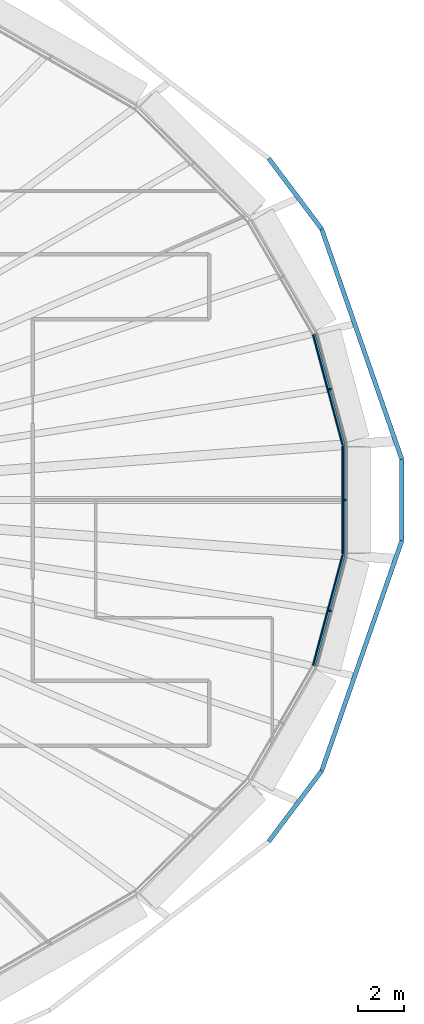
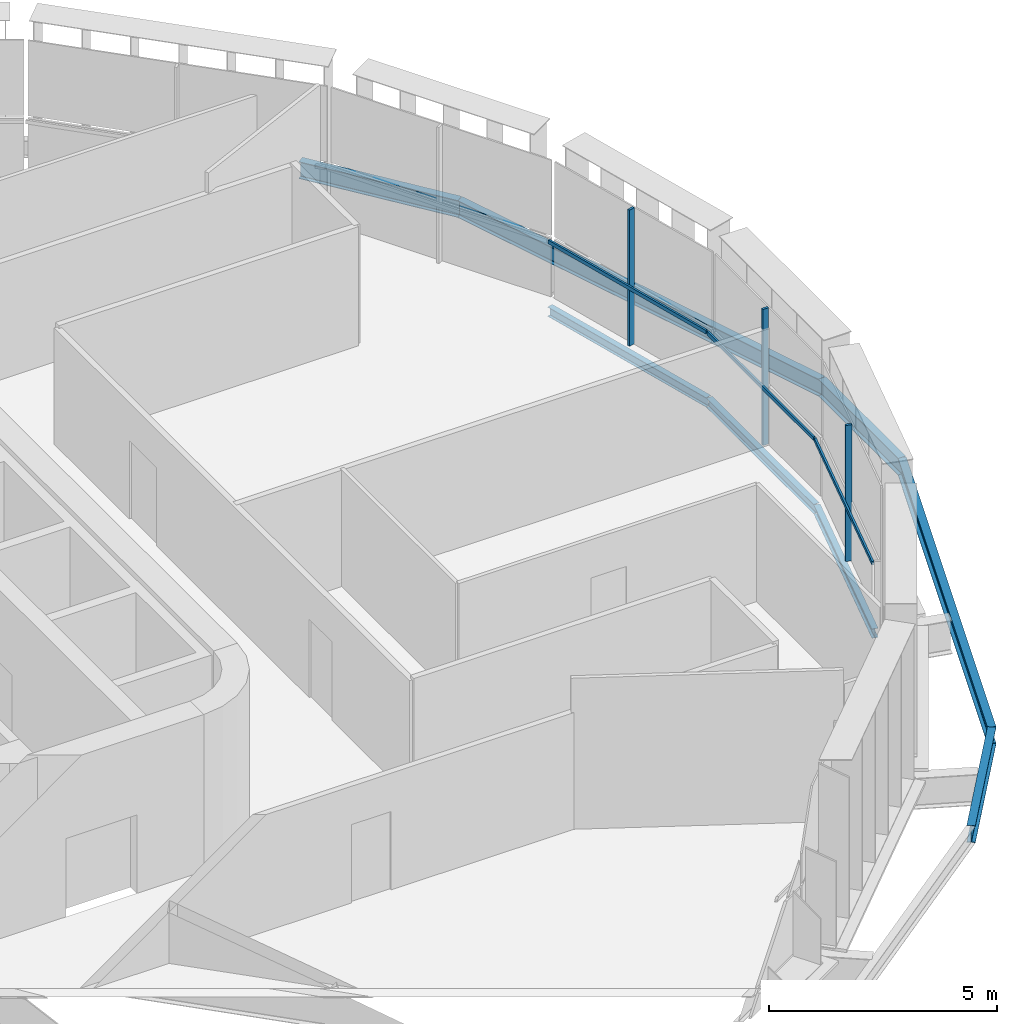
# One storey, part 12 of 25: 8 beams, 6 members, 3 elements without a shape of their own.
"""IFC4 building model written with IfcOpenShell, lengths in metres."""

from ifc_helpers import new_model, si_unit, direction, frame, origin, origin_2d, place, context, subcontext, project, spatial, rectangle, i_section, extrude, material, layer, layer_set, material_profile, profile_set, type_object, element, aggregate, save


model = new_model("IFC4")

# Units and contexts
model_context = context("Model", 3, precision=1e-05, world=origin(), true_north=direction((0.0, 1.0)))
body_context = subcontext(model_context, "Body", "Model", "MODEL_VIEW")
ifc_project = project(units=[si_unit("LENGTHUNIT", "METRE"), si_unit("AREAUNIT", "SQUARE_METRE"), si_unit("VOLUMEUNIT", "CUBIC_METRE"), si_unit("PLANEANGLEUNIT", "RADIAN"), si_unit("MASSUNIT", "GRAM", prefix="KILO")], contexts=[model_context])

# Site, building, storey
site_placement = place(None, origin())
site = spatial("IfcSite", under=ifc_project, at=site_placement, CompositionType="ELEMENT")
building_placement = place(site_placement, origin())
building = spatial("IfcBuilding", under=site, at=building_placement, Name="Sahrelin Media Tower", CompositionType="ELEMENT")
storey_placement = place(building_placement, frame((0.0, 0.0, 110.39990234375)))
storey = spatial("IfcBuildingStorey", under=building, at=storey_placement, Name="L21", CompositionType="ELEMENT", Elevation=110.39990234375)

# Beams
ifc_material_1 = material(Name="Steel S355", Category="steel")
ifc_material_profile_1 = material_profile(ifc_material_1, i_section(OverallWidth=0.14599609375, OverallDepth=0.25146484375, WebThickness=0.006103515625, FlangeThickness=0.008544921875, FilletRadius=0.007568359375, at=origin_2d()), Name="UB 254x146x31")
ifc_profile_set_1 = profile_set([ifc_material_profile_1], Name="Steel S355")
beam_type_1 = type_object("IfcBeamType", Name="Edge beam EB1", PredefinedType="BEAM", material=ifc_profile_set_1)
beam_1_placement = place(storey_placement, frame((31.794189453125, 2.352783203125, -0.275634765625), z_axis=(0.0, -1.0, 0.0), x_axis=(1.0, 0.0, 0.0)))
element("IfcBeam", 1, at=beam_1_placement, inside=storey, type_object=beam_type_1, Name="Edge beam L21-01", PredefinedType="BEAM", context=body_context, shape_type="SweptSolid", body=[
    extrude(i_section(OverallWidth=0.14599609375, OverallDepth=0.25146484375, WebThickness=0.006103515625, FlangeThickness=0.008544921875, FilletRadius=0.007568359375, at=origin_2d()), origin(), (0.0, 0.0, 1.0), 4.70556640625),
])
for number, where, z_axis, x_axis, name in (
    (2, (31.79052734375, -2.381591796875, -0.275634765625), (-0.258785645927, -0.965934774952, 0.0), (0.965934774952, -0.258785645927, 0.0), "Edge beam L21-02"),
    (3, (30.51611328125, 7.138427734375, -0.275634765625), (0.258785645927, -0.965934774952, 0.0), (0.965934774952, 0.258785645927, 0.0), "Edge beam L21-24"),
):
    element("IfcBeam", number, at=place(storey_placement, frame(where, z_axis=z_axis, x_axis=x_axis)), inside=storey, type_object=beam_type_1, Name=name, PredefinedType="BEAM", context=body_context, shape_type="SweptSolid", body=[
        extrude(i_section(OverallWidth=0.14599609375, OverallDepth=0.25146484375, WebThickness=0.006103515625, FlangeThickness=0.008544921875, FilletRadius=0.007568359375, at=origin_2d()), origin(), (0.0, 0.0, 1.0), 4.924560546875),
    ])

# Curtain wall, member
ifc_material_2 = material(Name="Champagne anodised aluminium 6063-T6", Category="aluminium")
ifc_layer = layer(ifc_material_2, 0.14990234375)
ifc_layer_set = layer_set([ifc_layer], Name="Tower ribbon curtain wall")
curtain_wall_type = type_object("IfcCurtainWallType", Name="Tower ribbon curtain wall", PredefinedType="NOTDEFINED", material=ifc_layer_set)
curtain_wall_1_placement = place(storey_placement, frame((31.9443359375, 0.0, 0.0), z_axis=(0.0, 0.0, 1.0), x_axis=(1.0, 0.0, 0.0)))
curtain_wall_1 = element("IfcCurtainWall", 4, at=curtain_wall_1_placement, inside=storey, type_object=curtain_wall_type, Name="L21:CW:L21-00", PredefinedType="NOTDEFINED")
ifc_material_profile_2 = material_profile(ifc_material_2, rectangle(XDim=0.06005859375, YDim=0.14990234375, at=origin_2d()), Name="Mullion 60x150")
ifc_profile_set_2 = profile_set([ifc_material_profile_2], Name="Champagne anodised aluminium 6063-T6")
member_type_1 = type_object("IfcMemberType", Name="Mullion 60x150 CW1", PredefinedType="MULLION", material=ifc_profile_set_2)
member_1_placement = place(storey_placement, frame((31.849365234375, 0.0, 0.0), z_axis=(0.0, 0.0, 1.0), x_axis=(0.0, 1.0, 0.0)))
member_1 = element("IfcMember", 5, at=member_1_placement, type_object=member_type_1, Name="L21:CWM:L21-00", PredefinedType="MULLION", context=body_context, shape_type="SweptSolid", body=[
    extrude(rectangle(XDim=0.06005859375, YDim=0.14990234375, at=origin_2d()), origin(), (0.0, 0.0, 1.0), 3.648681640625),
])

curtain_wall_2_placement = place(storey_placement, frame((31.298095703125, 4.798828125, 0.0), z_axis=(0.0, 0.0, 1.0), x_axis=(1.0, 0.0, 0.0)))
curtain_wall_2 = element("IfcCurtainWall", 6, at=curtain_wall_2_placement, inside=storey, type_object=curtain_wall_type, Name="L21:CW:L21-01", PredefinedType="NOTDEFINED")
member_2_placement = place(storey_placement, frame((31.206298828125, 4.774169921875, 0.0), z_axis=(0.0, 0.0, 1.0), x_axis=(-0.2588106158, 0.965928084875, 0.0)))
member_2 = element("IfcMember", 7, at=member_2_placement, type_object=member_type_1, Name="L21:CWM:L21-01", PredefinedType="MULLION", context=body_context, shape_type="SweptSolid", body=[
    extrude(rectangle(XDim=0.06005859375, YDim=0.14990234375, at=origin_2d()), origin(), (0.0, 0.0, 1.0), 3.648681640625),
])

curtain_wall_3_placement = place(storey_placement, frame((31.298095703125, -4.798583984375, 0.0), z_axis=(0.0, 0.0, 1.0), x_axis=(1.0, 0.0, 0.0)))
curtain_wall_3 = element("IfcCurtainWall", 8, at=curtain_wall_3_placement, inside=storey, type_object=curtain_wall_type, Name="L21:CW:L21-23", PredefinedType="NOTDEFINED")
member_3_placement = place(storey_placement, frame((31.206298828125, -4.774169921875, 0.0), z_axis=(0.0, 0.0, 1.0), x_axis=(0.2588106158, 0.965928084875, 0.0)))
member_3 = element("IfcMember", 9, at=member_3_placement, type_object=member_type_1, Name="L21:CWM:L21-23", PredefinedType="MULLION", context=body_context, shape_type="SweptSolid", body=[
    extrude(rectangle(XDim=0.06005859375, YDim=0.14990234375, at=origin_2d()), origin(), (0.0, 0.0, 1.0), 3.648681640625),
])

# Beams
ifc_material_profile_3 = material_profile(ifc_material_1, i_section(OverallWidth=0.1904296875, OverallDepth=0.45703125, WebThickness=0.009033203125, FlangeThickness=0.014404296875, FilletRadius=0.01025390625, at=origin_2d()), Name="UB 457x191x74")
ifc_profile_set_3 = profile_set([ifc_material_profile_3], Name="Steel S355")
beam_type_2 = type_object("IfcBeamType", Name="Tie chord TC5", PredefinedType="BEAM", material=ifc_profile_set_3)
beam_2_placement = place(storey_placement, frame((34.30810546875, 1.755859375, -0.37841796875), z_axis=(-0.328770150745, 0.94440996817, 0.0), x_axis=(-0.94440996817, -0.328770150745, 0.0)))
element("IfcBeam", 10, at=beam_2_placement, inside=storey, type_object=beam_type_2, Name="Tie chord L21-01", PredefinedType="BEAM", context=body_context, shape_type="SweptSolid", body=[
    extrude(i_section(OverallWidth=0.1904296875, OverallDepth=0.45703125, WebThickness=0.009033203125, FlangeThickness=0.014404296875, FilletRadius=0.01025390625, at=origin_2d()), origin(), (0.0, 0.0, 1.0), 10.51123046875),
])
for number, where, z_axis, x_axis, name in (
    (11, (30.852294921875, 11.682861328125, -0.37841796875), (-0.600051373024, 0.799961467654, 0.0), (-0.799961467654, -0.600051373024, 0.0), "Tie chord L21-02"),
    (12, (28.571044921875, -14.72412109375, -0.37841796875), (0.600051373024, 0.799961467654, 0.0), (-0.799961467654, 0.600051373024, 0.0), "Tie chord L21-22"),
):
    element("IfcBeam", number, at=place(storey_placement, frame(where, z_axis=z_axis, x_axis=x_axis)), inside=storey, type_object=beam_type_2, Name=name, PredefinedType="BEAM", context=body_context, shape_type="SweptSolid", body=[
        extrude(i_section(OverallWidth=0.1904296875, OverallDepth=0.45703125, WebThickness=0.009033203125, FlangeThickness=0.014404296875, FilletRadius=0.01025390625, at=origin_2d()), origin(), (0.0, 0.0, 1.0), 3.8017578125),
    ])
beam_3_placement = place(storey_placement, frame((30.852294921875, -11.682861328125, -0.37841796875), z_axis=(0.328770150745, 0.94440996817, 0.0), x_axis=(-0.94440996817, 0.328770150745, 0.0)))
element("IfcBeam", 13, at=beam_3_placement, inside=storey, type_object=beam_type_2, Name="Tie chord L21-23", PredefinedType="BEAM", context=body_context, shape_type="SweptSolid", body=[
    extrude(i_section(OverallWidth=0.1904296875, OverallDepth=0.45703125, WebThickness=0.009033203125, FlangeThickness=0.014404296875, FilletRadius=0.01025390625, at=origin_2d()), origin(), (0.0, 0.0, 1.0), 10.51123046875),
])
beam_4_placement = place(storey_placement, frame((34.30810546875, -1.755859375, -0.37841796875), z_axis=(0.0, 1.0, 0.0), x_axis=(-1.0, 0.0, 0.0)))
element("IfcBeam", 14, at=beam_4_placement, inside=storey, type_object=beam_type_2, Name="Tie chord L21-24", PredefinedType="BEAM", context=body_context, shape_type="SweptSolid", body=[
    extrude(i_section(OverallWidth=0.1904296875, OverallDepth=0.45703125, WebThickness=0.009033203125, FlangeThickness=0.014404296875, FilletRadius=0.01025390625, at=origin_2d()), origin(), (0.0, 0.0, 1.0), 3.51171875),
])

# Member
ifc_material_profile_4 = material_profile(ifc_material_2, rectangle(XDim=0.050048828125, YDim=0.10009765625, at=origin_2d()), Name="Transom 50x100")
ifc_profile_set_4 = profile_set([ifc_material_profile_4], Name="Champagne anodised aluminium 6063-T6")
member_type_2 = type_object("IfcMemberType", Name="Transom 50x100 CW1", PredefinedType="USERDEFINED", material=ifc_profile_set_4)
member_4_placement = place(storey_placement, frame((31.749267578125, -2.337158203125, 1.60009765625), z_axis=(0.0, 1.0, 0.0), x_axis=(-1.0, 0.0, 0.0)))
member_4 = element("IfcMember", 15, at=member_4_placement, type_object=member_type_2, Name="L21:CWT:L21-00", ObjectType="TRANSOM", PredefinedType="USERDEFINED", context=body_context, shape_type="SweptSolid", body=[
    extrude(rectangle(XDim=0.050048828125, YDim=0.10009765625, at=origin_2d()), origin(), (0.0, 0.0, 1.0), 4.67431640625),
])

aggregate(curtain_wall_1, [member_1, member_4])

member_5_placement = place(storey_placement, frame((31.742919921875, 2.385009765625, 1.60009765625), z_axis=(-0.258795938733, 0.965932017326, 0.0), x_axis=(-0.965932017326, -0.258795938733, 0.0)))
member_5 = element("IfcMember", 16, at=member_5_placement, type_object=member_type_2, Name="L21:CWT:L21-01", ObjectType="TRANSOM", PredefinedType="USERDEFINED", context=body_context, shape_type="SweptSolid", body=[
    extrude(rectangle(XDim=0.050048828125, YDim=0.10009765625, at=origin_2d()), origin(), (0.0, 0.0, 1.0), 4.893310546875),
])

aggregate(curtain_wall_2, [member_2, member_5])

member_6_placement = place(storey_placement, frame((30.4765625, -7.111572265625, 1.60009765625), z_axis=(0.258795938733, 0.965932017326, 0.0), x_axis=(-0.965932017326, 0.258795938733, 0.0)))
member_6 = element("IfcMember", 17, at=member_6_placement, type_object=member_type_2, Name="L21:CWT:L21-23", ObjectType="TRANSOM", PredefinedType="USERDEFINED", context=body_context, shape_type="SweptSolid", body=[
    extrude(rectangle(XDim=0.050048828125, YDim=0.10009765625, at=origin_2d()), origin(), (0.0, 0.0, 1.0), 4.893310546875),
])

aggregate(curtain_wall_3, [member_3, member_6])

save(model, "model.ifc")
